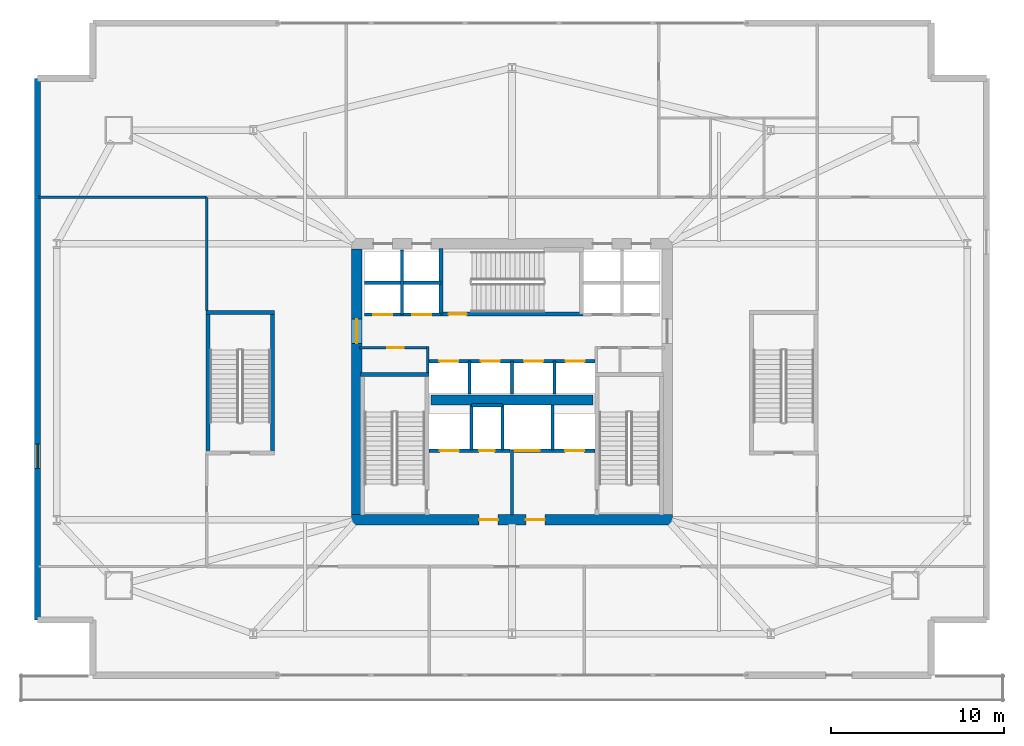
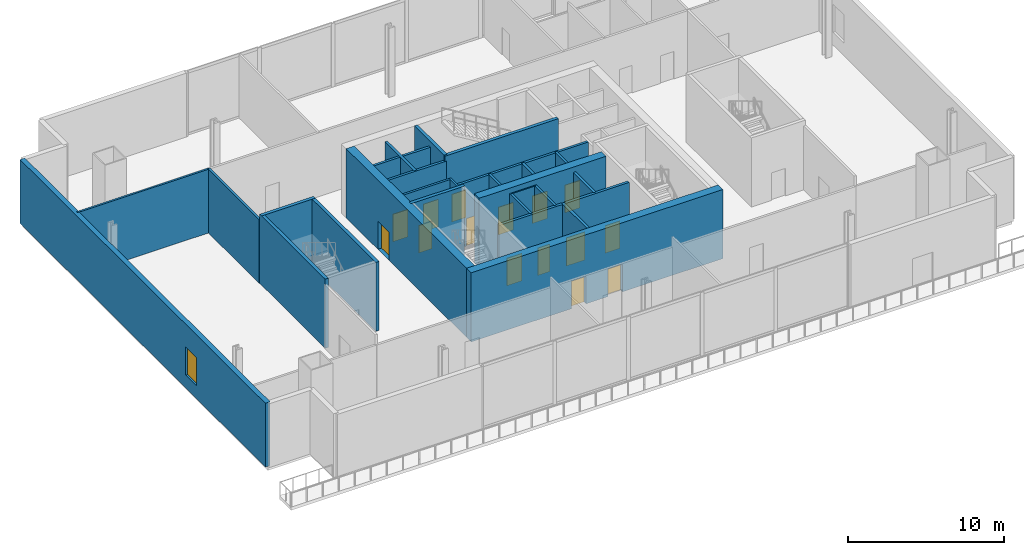
# One storey, part 10 of 16: 28 walls, 15 doors, 1 window, 16 openings.
"""IFC4 building model written with IfcOpenShell, lengths in metres."""

from ifc_helpers import new_model, si_unit, direction, frame, frame_2d, origin, place, context, subcontext, project, spatial, rectangle, extrude, material, layer, layer_set, type_object, element, fill, save


model = new_model("IFC4")

# Units and contexts
model_context = context("Model", 3, precision=1e-05, world=origin(), true_north=direction((0.0, 1.0)))
body_context = subcontext(model_context, "Body", "Model", "MODEL_VIEW")
ifc_project = project(units=[si_unit("LENGTHUNIT", "METRE"), si_unit("AREAUNIT", "SQUARE_METRE"), si_unit("VOLUMEUNIT", "CUBIC_METRE"), si_unit("PLANEANGLEUNIT", "RADIAN"), si_unit("MASSUNIT", "GRAM", prefix="KILO")], contexts=[model_context])

# Site, building, storey
site_placement = place(None, origin())
site = spatial("IfcSite", under=ifc_project, at=site_placement, CompositionType="ELEMENT")
building_placement = place(site_placement, origin())
building = spatial("IfcBuilding", under=site, at=building_placement, Name="Haldenkirk Collegiate Tower", CompositionType="ELEMENT")
storey_placement = place(building_placement, frame((0.0, 0.0, 16.800048828125)))
storey = spatial("IfcBuildingStorey", under=building, at=storey_placement, Name="L03", CompositionType="ELEMENT", Elevation=16.800048828125)

# Wall, openings, doors
ifc_material_1 = material(Name="Concrete f'c 70 MPa", Category="concrete")
ifc_layer_1 = layer(ifc_material_1, 0.60009765625)
ifc_layer_set_1 = layer_set([ifc_layer_1], Name="Concrete f'c 70 MPa")
wall_type_1 = type_object("IfcWallType", Name="WL-CORE-600", PredefinedType="SHEAR", material=ifc_layer_set_1)
wall_1_placement = place(storey_placement, frame((26.699951171875, 18.0, 0.0), z_axis=(0.0, 0.0, 1.0), x_axis=(1.0, 0.0, 0.0)))
wall_1 = element("IfcWall", 1, at=wall_1_placement, inside=storey, type_object=wall_type_1, Name="L03 central core shear wall S", PredefinedType="SHEAR", context=body_context, shape_type="SweptSolid", body=[
    extrude(rectangle(XDim=18.60009765625, YDim=0.60009765625, at=frame_2d((9.300048828125, 0.0))), origin(), (0.0, 0.0, 1.0), 5.39990234375),
])
opening_1_placement = place(wall_1_placement, frame((7.39990234375, 0.0, 0.0)))
opening_1 = element("IfcOpeningElement", 2, at=opening_1_placement, cuts=wall_1, Name="Opening D-02", PredefinedType="OPENING", context=body_context, shape_type="SweptSolid", body=[
    extrude(rectangle(XDim=1.10009765625, YDim=2.14990234375, at=frame_2d((0.550048828125, 1.074951171875))), frame((0.0, 0.31005859375, 0.0), z_axis=(0.0, -1.0, 0.0), x_axis=(1.0, 0.0, 0.0)), (0.0, 0.0, 1.0), 0.6201171875),
])
opening_2_placement = place(wall_1_placement, frame((10.10009765625, 0.0, 0.0)))
opening_2 = element("IfcOpeningElement", 3, at=opening_2_placement, cuts=wall_1, Name="Opening D-02", PredefinedType="OPENING", context=body_context, shape_type="SweptSolid", body=[
    extrude(rectangle(XDim=1.10009765625, YDim=2.14990234375, at=frame_2d((0.550048828125, 1.074951171875))), frame((0.0, 0.31005859375, 0.0), z_axis=(0.0, -1.0, 0.0), x_axis=(1.0, 0.0, 0.0)), (0.0, 0.0, 1.0), 0.6201171875),
])
ifc_material_2 = material(Name="Galvanized fire-rated hollow steel door", Category="steel")
ifc_layer_2 = layer(ifc_material_2, 0.06005859375)
ifc_layer_set_2 = layer_set([ifc_layer_2], Name="Galvanized fire-rated hollow steel door")
door_type_1 = type_object("IfcDoorType", Name="DR-STAIR-FD90-1100", OperationType="NOTDEFINED", PredefinedType="DOOR", material=ifc_layer_set_2)
door_1_placement = place(opening_1_placement, origin())
door_1 = element("IfcDoor", 4, at=door_1_placement, inside=storey, type_object=door_type_1, Name="L03 Firefighting Lobby 1 door", OperationType="SINGLE_SWING_LEFT", OverallHeight=2.14990234375, OverallWidth=1.10009765625, PredefinedType="DOOR", context=body_context, shape_type="SweptSolid", body=[
    extrude(rectangle(XDim=1.10009765625, YDim=2.14990234375, at=frame_2d((0.550048828125, 1.074951171875))), frame((0.0, 0.02490234375, 0.0), z_axis=(0.0, -1.0, 0.0), x_axis=(1.0, 0.0, 0.0)), (0.0, 0.0, 1.0), 0.050048828125),
])
fill(opening_1, door_1)
door_2_placement = place(opening_2_placement, origin())
door_2 = element("IfcDoor", 5, at=door_2_placement, inside=storey, type_object=door_type_1, Name="L03 Firefighting Lobby 2 door", OperationType="SINGLE_SWING_RIGHT", OverallHeight=2.14990234375, OverallWidth=1.10009765625, PredefinedType="DOOR", context=body_context, shape_type="SweptSolid", body=[
    extrude(rectangle(XDim=1.10009765625, YDim=2.14990234375, at=frame_2d((0.550048828125, 1.074951171875))), frame((0.0, 0.02490234375, 0.0), z_axis=(0.0, -1.0, 0.0), x_axis=(1.0, 0.0, 0.0)), (0.0, 0.0, 1.0), 0.050048828125),
])
fill(opening_2, door_2)

# Wall, opening, door
wall_2_placement = place(storey_placement, frame((27.0, 18.300048828125, 0.0), z_axis=(0.0, 0.0, 1.0), x_axis=(0.0, 1.0, 0.0)))
wall_2 = element("IfcWall", 6, at=wall_2_placement, inside=storey, type_object=wall_type_1, Name="L03 central core shear wall W", PredefinedType="SHEAR", context=body_context, shape_type="SweptSolid", body=[
    extrude(rectangle(XDim=15.39990234375, YDim=0.60009765625, at=frame_2d((7.699951171875, 0.0))), origin(), (0.0, 0.0, 1.0), 5.39990234375),
])
opening_3_placement = place(wall_2_placement, frame((9.93994140625, 0.0, 0.0)))
opening_3 = element("IfcOpeningElement", 7, at=opening_3_placement, cuts=wall_2, Name="Opening D-03", PredefinedType="OPENING", context=body_context, shape_type="SweptSolid", body=[
    extrude(rectangle(XDim=1.39990234375, YDim=2.199951171875, at=frame_2d((0.699951171875, 1.10009765625))), frame((0.0, 0.31005859375, 0.0), z_axis=(0.0, -1.0, 0.0), x_axis=(1.0, 0.0, 0.0)), (0.0, 0.0, 1.0), 0.6201171875),
])
ifc_layer_3 = layer(ifc_material_2, 0.06005859375)
ifc_layer_set_3 = layer_set([ifc_layer_3], Name="Galvanized fire-rated hollow steel door")
door_type_2 = type_object("IfcDoorType", Name="DR-LOBBY-FD90-1400", OperationType="NOTDEFINED", PredefinedType="DOOR", material=ifc_layer_set_3)
door_3_placement = place(opening_3_placement, origin())
door_3 = element("IfcDoor", 8, at=door_3_placement, inside=storey, type_object=door_type_2, Name="L03 west lift lobby portal", OperationType="DOUBLE_DOOR_SINGLE_SWING", OverallHeight=2.199951171875, OverallWidth=1.39990234375, PredefinedType="DOOR", context=body_context, shape_type="SweptSolid", body=[
    extrude(rectangle(XDim=1.39990234375, YDim=2.199951171875, at=frame_2d((0.699951171875, 1.10009765625))), frame((0.0, 0.02490234375, 0.0), z_axis=(0.0, -1.0, 0.0), x_axis=(1.0, 0.0, 0.0)), (0.0, 0.0, 1.0), 0.050048828125),
])
fill(opening_3, door_3)

# Wall
wall_3_placement = place(storey_placement, frame((31.31005859375, 24.949951171875, 0.0), z_axis=(0.0, 0.0, 1.0), x_axis=(1.0, 0.0, 0.0)))
element("IfcWall", 9, at=wall_3_placement, inside=storey, type_object=wall_type_1, Name="L03 central core spine shear wall", PredefinedType="SHEAR", context=body_context, shape_type="SweptSolid", body=[
    extrude(rectangle(XDim=9.3798828125, YDim=0.60009765625, at=frame_2d((4.68994140625, 0.0))), origin(), (0.0, 0.0, 1.0), 5.39990234375),
])

# Wall, opening, window
ifc_material_3 = material(Name="Precast concrete f'c 40 MPa", Category="concrete")
ifc_layer_4 = layer(ifc_material_3, 0.360107421875)
ifc_layer_set_4 = layer_set([ifc_layer_4], Name="Precast concrete f'c 40 MPa")
wall_type_2 = type_object("IfcWallType", Name="WL-EXT-POD-360", PredefinedType="STANDARD", material=ifc_layer_set_4)
wall_4_placement = place(storey_placement, frame((8.5, 12.199951171875, 0.0), z_axis=(0.0, 0.0, 1.0), x_axis=(0.0, 1.0, 0.0)))
wall_4 = element("IfcWall", 10, at=wall_4_placement, inside=storey, type_object=wall_type_2, Name="L03 podium bronze precast wall 10", PredefinedType="STANDARD", context=body_context, shape_type="SweptSolid", body=[
    extrude(rectangle(XDim=31.400146484375, YDim=0.360107421875, at=frame_2d((15.7001953125, 0.0))), origin(), (0.0, 0.0, 1.0), 4.97998046875),
])
opening_4_placement = place(wall_4_placement, frame((8.7919921875, 0.0, 1.0)))
opening_4 = element("IfcOpeningElement", 11, at=opening_4_placement, cuts=wall_4, Name="Opening W-02", PredefinedType="OPENING", context=body_context, shape_type="SweptSolid", body=[
    extrude(rectangle(XDim=1.39990234375, YDim=2.199951171875, at=frame_2d((0.699951171875, 1.10009765625))), frame((0.0, 0.18994140625, 0.0), z_axis=(0.0, -1.0, 0.0), x_axis=(1.0, 0.0, 0.0)), (0.0, 0.0, 1.0), 0.380126953125),
])
ifc_material_4 = material(Name="Low-E argon triple insulating glass", Category="glass")
ifc_layer_5 = layer(ifc_material_4, 0.090087890625)
ifc_layer_set_5 = layer_set([ifc_layer_5], Name="Low-E argon triple insulating glass")
window_type = type_object("IfcWindowType", Name="WN-POD-1400X2200", PartitioningType="SINGLE_PANEL", PredefinedType="WINDOW", material=ifc_layer_set_5)
window_placement = place(opening_4_placement, origin())
window = element("IfcWindow", 12, at=window_placement, inside=storey, type_object=window_type, Name="L03 podium academic window 10A", OverallHeight=2.199951171875, OverallWidth=1.39990234375, PartitioningType="SINGLE_PANEL", PredefinedType="WINDOW", context=body_context, shape_type="SweptSolid", body=[
    extrude(rectangle(XDim=1.39990234375, YDim=2.199951171875, at=frame_2d((0.699951171875, 1.10009765625))), frame((0.0, 0.030029296875, 0.0), z_axis=(0.0, -1.0, 0.0), x_axis=(1.0, 0.0, 0.0)), (0.0, 0.0, 1.0), 0.06005859375),
])
fill(opening_4, window)

# Wall, opening, door
ifc_material_5 = material(Name="Acoustic fire-rated gypsum partition", Category="concrete")
ifc_layer_6 = layer(ifc_material_5, 0.159912109375)
ifc_layer_set_6 = layer_set([ifc_layer_6], Name="Acoustic fire-rated gypsum partition")
wall_type_3 = type_object("IfcWallType", Name="WL-INT-CORR-160", PredefinedType="PARTITIONING", material=ifc_layer_set_6)
wall_5_placement = place(storey_placement, frame((27.14990234375, 27.97998046875, 0.0), z_axis=(0.0, 0.0, 1.0), x_axis=(1.0, 0.0, 0.0)))
wall_5 = element("IfcWall", 13, at=wall_5_placement, inside=storey, type_object=wall_type_3, Name="L03 interior partition IW-L03-VCSW-N", PredefinedType="PARTITIONING", context=body_context, shape_type="SweptSolid", body=[
    extrude(rectangle(XDim=4.050048828125, YDim=0.159912109375, at=frame_2d((2.02490234375, 0.0))), origin(), (0.0, 0.0, 1.0), 4.97998046875),
])
opening_5_placement = place(wall_5_placement, frame((1.625, 0.0, 0.0)))
opening_5 = element("IfcOpeningElement", 14, at=opening_5_placement, cuts=wall_5, Name="Opening D-10", PredefinedType="OPENING", context=body_context, shape_type="SweptSolid", body=[
    extrude(rectangle(XDim=0.949951171875, YDim=2.14990234375, at=frame_2d((0.47509765625, 1.074951171875))), frame((0.0, 0.08984375, 0.0), z_axis=(0.0, -1.0, 0.0), x_axis=(1.0, 0.0, 0.0)), (0.0, 0.0, 1.0), 0.179931640625),
])
ifc_material_6 = material(Name="Solid-core architectural oak fire door", Category="wood")
ifc_layer_7 = layer(ifc_material_6, 0.06005859375)
ifc_layer_set_7 = layer_set([ifc_layer_7], Name="Solid-core architectural oak fire door")
door_type_3 = type_object("IfcDoorType", Name="DR-INT-FD60-950", OperationType="NOTDEFINED", PredefinedType="DOOR", material=ifc_layer_set_7)
door_4_placement = place(opening_5_placement, origin())
door_4 = element("IfcDoor", 15, at=door_4_placement, inside=storey, type_object=door_type_3, Name="L03 core tea pantry door", OperationType="SINGLE_SWING_LEFT", OverallHeight=2.14990234375, OverallWidth=0.949951171875, PredefinedType="DOOR", context=body_context, shape_type="SweptSolid", body=[
    extrude(rectangle(XDim=0.949951171875, YDim=2.14990234375, at=frame_2d((0.47509765625, 1.074951171875))), frame((0.0, 0.02490234375, 0.0), z_axis=(0.0, -1.0, 0.0), x_axis=(1.0, 0.0, 0.0)), (0.0, 0.0, 1.0), 0.050048828125),
])
fill(opening_5, door_4)

# Walls
wall_6_placement = place(storey_placement, frame((31.1201171875, 26.5400390625, 0.0), z_axis=(0.0, 0.0, 1.0), x_axis=(0.0, 1.0, 0.0)))
element("IfcWall", 16, at=wall_6_placement, inside=storey, type_object=wall_type_3, Name="L03 interior partition IW-L03-VCSW-E", PredefinedType="PARTITIONING", context=body_context, shape_type="SweptSolid", body=[
    extrude(rectangle(XDim=1.510009765625, YDim=0.159912109375, at=frame_2d((0.7548828125, 0.0))), origin(), (0.0, 0.0, 1.0), 4.97998046875),
])
wall_7_placement = place(storey_placement, frame((18.300048828125, 30.14990234375, 0.0), z_axis=(0.0, 0.0, 1.0), x_axis=(0.0, 1.0, 0.0)))
element("IfcWall", 17, at=wall_7_placement, inside=storey, type_object=wall_type_3, Name="L03 interior partition IW-L03-CW2", PredefinedType="PARTITIONING", context=body_context, shape_type="SweptSolid", body=[
    extrude(rectangle(XDim=6.550048828125, YDim=0.159912109375, at=frame_2d((3.27490234375, 0.0))), origin(), (0.0, 0.0, 1.0), 4.97998046875),
])
ifc_layer_8 = layer(ifc_material_5, 0.139892578125)
ifc_layer_set_8 = layer_set([ifc_layer_8], Name="Acoustic fire-rated gypsum partition")
wall_type_4 = type_object("IfcWallType", Name="WL-INT-DIV-140", PredefinedType="PARTITIONING", material=ifc_layer_set_8)
wall_8_placement = place(storey_placement, frame((8.5400390625, 36.699951171875, 0.0), z_axis=(0.0, 0.0, 1.0), x_axis=(1.0, 0.0, 0.0)))
element("IfcWall", 18, at=wall_8_placement, inside=storey, type_object=wall_type_4, Name="L03 interior partition IW-L03-WCN1", PredefinedType="PARTITIONING", context=body_context, shape_type="SweptSolid", body=[
    extrude(rectangle(XDim=9.760009765625, YDim=0.139892578125, at=frame_2d((4.8798828125, 0.0))), origin(), (0.0, 0.0, 1.0), 4.97998046875),
])
ifc_material_7 = material(Name="Fire-rated gypsum shaftboard assembly", Category="concrete")
ifc_layer_9 = layer(ifc_material_7, 0.179931640625)
ifc_layer_set_9 = layer_set([ifc_layer_9], Name="Fire-rated gypsum shaftboard assembly")
wall_type_5 = type_object("IfcWallType", Name="WL-INT-SHAFT-180", PredefinedType="PARTITIONING", material=ifc_layer_set_9)
for number, where, z_axis, x_axis, name in (
    (19, (33.64990234375, 22.050048828125, 0.0), (0.0, 0.0, 1.0), (0.0, 1.0, 0.0), "L03 interior partition IW-L03-FL1E"),
    (20, (35.449951171875, 22.050048828125, 0.0), (0.0, 0.0, 1.0), (0.0, 1.0, 0.0), "L03 interior partition IW-L03-GL1W"),
):
    element("IfcWall", number, at=place(storey_placement, frame(where, z_axis=z_axis, x_axis=x_axis)), inside=storey, type_object=wall_type_5, Name=name, PredefinedType="PARTITIONING", context=body_context, shape_type="SweptSolid", body=[
        extrude(rectangle(XDim=2.599853515625, YDim=0.179931640625, at=frame_2d((1.2998046875, 0.0))), origin(), (0.0, 0.0, 1.0), 4.97998046875),
    ])
wall_9_placement = place(storey_placement, frame((33.64990234375, 24.64990234375, 0.0), z_axis=(0.0, 0.0, 1.0), x_axis=(1.0, 0.0, 0.0)))
element("IfcWall", 21, at=wall_9_placement, inside=storey, type_object=wall_type_5, Name="L03 interior partition IW-L03-RSRN", PredefinedType="PARTITIONING", context=body_context, shape_type="SweptSolid", body=[
    extrude(rectangle(XDim=1.800048828125, YDim=0.179931640625, at=frame_2d((0.89990234375, 0.0))), origin(), (0.0, 0.0, 1.0), 4.97998046875),
])
wall_10_placement = place(storey_placement, frame((38.35009765625, 22.050048828125, 0.0), z_axis=(0.0, 0.0, 1.0), x_axis=(0.0, 1.0, 0.0)))
element("IfcWall", 22, at=wall_10_placement, inside=storey, type_object=wall_type_5, Name="L03 interior partition IW-L03-GL1E", PredefinedType="PARTITIONING", context=body_context, shape_type="SweptSolid", body=[
    extrude(rectangle(XDim=2.599853515625, YDim=0.179931640625, at=frame_2d((1.2998046875, 0.0))), origin(), (0.0, 0.0, 1.0), 4.97998046875),
])

# Wall, openings, doors
wall_11_placement = place(storey_placement, frame((27.449951171875, 29.89990234375, 0.0), z_axis=(0.0, 0.0, 1.0), x_axis=(1.0, 0.0, 0.0)))
wall_11 = element("IfcWall", 23, at=wall_11_placement, inside=storey, type_object=wall_type_5, Name="L03 interior partition IW-L03-PLS", PredefinedType="PARTITIONING", context=body_context, shape_type="SweptSolid", body=[
    extrude(rectangle(XDim=4.429931640625, YDim=0.179931640625, at=frame_2d((2.21484375, 0.0))), origin(), (0.0, 0.0, 1.0), 4.97998046875),
])
opening_6_placement = place(wall_11_placement, frame((0.514892578125, 0.0, 0.0)))
opening_6 = element("IfcOpeningElement", 24, at=opening_6_placement, cuts=wall_11, Name="Opening LD-11", PredefinedType="OPENING", context=body_context, shape_type="SweptSolid", body=[
    extrude(rectangle(XDim=1.10009765625, YDim=2.14990234375, at=frame_2d((0.550048828125, 1.074951171875))), frame((0.0, 0.099853515625, 0.0), z_axis=(0.0, -1.0, 0.0), x_axis=(1.0, 0.0, 0.0)), (0.0, 0.0, 1.0), 0.199951171875),
])
opening_7_placement = place(wall_11_placement, frame((2.764892578125, 0.0, 0.0)))
opening_7 = element("IfcOpeningElement", 25, at=opening_7_placement, cuts=wall_11, Name="Opening LD-11", PredefinedType="OPENING", context=body_context, shape_type="SweptSolid", body=[
    extrude(rectangle(XDim=1.10009765625, YDim=2.14990234375, at=frame_2d((0.550048828125, 1.074951171875))), frame((0.0, 0.099853515625, 0.0), z_axis=(0.0, -1.0, 0.0), x_axis=(1.0, 0.0, 0.0)), (0.0, 0.0, 1.0), 0.199951171875),
])
ifc_material_8 = material(Name="Brushed architectural stainless steel", Category="steel")
ifc_layer_10 = layer(ifc_material_8, 0.06005859375)
ifc_layer_set_10 = layer_set([ifc_layer_10], Name="Brushed architectural stainless steel")
door_type_4 = type_object("IfcDoorType", Name="LD-PASS-1100", OperationType="NOTDEFINED", PredefinedType="DOOR", material=ifc_layer_set_10)
door_5_placement = place(opening_6_placement, origin())
door_5 = element("IfcDoor", 26, at=door_5_placement, inside=storey, type_object=door_type_4, Name="L03 Elevator PL1 sliding landing door", OperationType="SLIDING_TO_LEFT", OverallHeight=2.14990234375, OverallWidth=1.10009765625, PredefinedType="DOOR", context=body_context, shape_type="SweptSolid", body=[
    extrude(rectangle(XDim=1.10009765625, YDim=2.14990234375, at=frame_2d((0.550048828125, 1.074951171875))), frame((0.0, 0.02490234375, 0.0), z_axis=(0.0, -1.0, 0.0), x_axis=(1.0, 0.0, 0.0)), (0.0, 0.0, 1.0), 0.050048828125),
])
fill(opening_6, door_5)
door_6_placement = place(opening_7_placement, origin())
door_6 = element("IfcDoor", 27, at=door_6_placement, inside=storey, type_object=door_type_4, Name="L03 Elevator PL2 sliding landing door", OperationType="SLIDING_TO_LEFT", OverallHeight=2.14990234375, OverallWidth=1.10009765625, PredefinedType="DOOR", context=body_context, shape_type="SweptSolid", body=[
    extrude(rectangle(XDim=1.10009765625, YDim=2.14990234375, at=frame_2d((0.550048828125, 1.074951171875))), frame((0.0, 0.02490234375, 0.0), z_axis=(0.0, -1.0, 0.0), x_axis=(1.0, 0.0, 0.0)), (0.0, 0.0, 1.0), 0.050048828125),
])
fill(opening_7, door_6)

# Walls
wall_12_placement = place(storey_placement, frame((27.449951171875, 31.75, 0.0), z_axis=(0.0, 0.0, 1.0), x_axis=(1.0, 0.0, 0.0)))
element("IfcWall", 28, at=wall_12_placement, inside=storey, type_object=wall_type_5, Name="L03 interior partition IW-L03-PLM", PredefinedType="PARTITIONING", context=body_context, shape_type="SweptSolid", body=[
    extrude(rectangle(XDim=4.429931640625, YDim=0.179931640625, at=frame_2d((2.21484375, 0.0))), origin(), (0.0, 0.0, 1.0), 4.97998046875),
])
wall_13_placement = place(storey_placement, frame((29.6298828125, 29.89990234375, 0.0), z_axis=(0.0, 0.0, 1.0), x_axis=(0.0, 1.0, 0.0)))
element("IfcWall", 29, at=wall_13_placement, inside=storey, type_object=wall_type_5, Name="L03 interior partition IW-L03-PLV", PredefinedType="PARTITIONING", context=body_context, shape_type="SweptSolid", body=[
    extrude(rectangle(XDim=3.75, YDim=0.179931640625, at=frame_2d((1.875, 0.0))), origin(), (0.0, 0.0, 1.0), 4.97998046875),
])

# Wall, openings, doors
wall_14_placement = place(storey_placement, frame((31.199951171875, 27.199951171875, 0.0), z_axis=(0.0, 0.0, 1.0), x_axis=(1.0, 0.0, 0.0)))
wall_14 = element("IfcWall", 30, at=wall_14_placement, inside=storey, type_object=wall_type_5, Name="L03 interior partition IW-L03-PHN", PredefinedType="PARTITIONING", context=body_context, shape_type="SweptSolid", body=[
    extrude(rectangle(XDim=9.60009765625, YDim=0.179931640625, at=frame_2d((4.800048828125, 0.0))), origin(), (0.0, 0.0, 1.0), 4.97998046875),
])
opening_8_placement = place(wall_14_placement, frame((0.590087890625, 0.0, 0.0)))
opening_8 = element("IfcOpeningElement", 31, at=opening_8_placement, cuts=wall_14, Name="Opening LD-11", PredefinedType="OPENING", context=body_context, shape_type="SweptSolid", body=[
    extrude(rectangle(XDim=1.10009765625, YDim=2.14990234375, at=frame_2d((0.550048828125, 1.074951171875))), frame((0.0, 0.099853515625, 0.0), z_axis=(0.0, -1.0, 0.0), x_axis=(1.0, 0.0, 0.0)), (0.0, 0.0, 1.0), 0.199951171875),
])
opening_9_placement = place(wall_14_placement, frame((2.989990234375, 0.0, 0.0)))
opening_9 = element("IfcOpeningElement", 32, at=opening_9_placement, cuts=wall_14, Name="Opening LD-11", PredefinedType="OPENING", context=body_context, shape_type="SweptSolid", body=[
    extrude(rectangle(XDim=1.10009765625, YDim=2.14990234375, at=frame_2d((0.550048828125, 1.074951171875))), frame((0.0, 0.099853515625, 0.0), z_axis=(0.0, -1.0, 0.0), x_axis=(1.0, 0.0, 0.0)), (0.0, 0.0, 1.0), 0.199951171875),
])
opening_10_placement = place(wall_14_placement, frame((5.510009765625, 0.0, 0.0)))
opening_10 = element("IfcOpeningElement", 33, at=opening_10_placement, cuts=wall_14, Name="Opening LD-11", PredefinedType="OPENING", context=body_context, shape_type="SweptSolid", body=[
    extrude(rectangle(XDim=1.10009765625, YDim=2.14990234375, at=frame_2d((0.550048828125, 1.074951171875))), frame((0.0, 0.099853515625, 0.0), z_axis=(0.0, -1.0, 0.0), x_axis=(1.0, 0.0, 0.0)), (0.0, 0.0, 1.0), 0.199951171875),
])
opening_11_placement = place(wall_14_placement, frame((7.909912109375, 0.0, 0.0)))
opening_11 = element("IfcOpeningElement", 34, at=opening_11_placement, cuts=wall_14, Name="Opening LD-11", PredefinedType="OPENING", context=body_context, shape_type="SweptSolid", body=[
    extrude(rectangle(XDim=1.10009765625, YDim=2.14990234375, at=frame_2d((0.550048828125, 1.074951171875))), frame((0.0, 0.099853515625, 0.0), z_axis=(0.0, -1.0, 0.0), x_axis=(1.0, 0.0, 0.0)), (0.0, 0.0, 1.0), 0.199951171875),
])
door_7_placement = place(opening_8_placement, origin())
door_7 = element("IfcDoor", 35, at=door_7_placement, inside=storey, type_object=door_type_4, Name="L03 Elevator PH1 sliding landing door", OperationType="SLIDING_TO_LEFT", OverallHeight=2.14990234375, OverallWidth=1.10009765625, PredefinedType="DOOR", context=body_context, shape_type="SweptSolid", body=[
    extrude(rectangle(XDim=1.10009765625, YDim=2.14990234375, at=frame_2d((0.550048828125, 1.074951171875))), frame((0.0, 0.02490234375, 0.0), z_axis=(0.0, -1.0, 0.0), x_axis=(1.0, 0.0, 0.0)), (0.0, 0.0, 1.0), 0.050048828125),
])
fill(opening_8, door_7)
door_8_placement = place(opening_9_placement, origin())
door_8 = element("IfcDoor", 36, at=door_8_placement, inside=storey, type_object=door_type_4, Name="L03 Elevator PH2 sliding landing door", OperationType="SLIDING_TO_LEFT", OverallHeight=2.14990234375, OverallWidth=1.10009765625, PredefinedType="DOOR", context=body_context, shape_type="SweptSolid", body=[
    extrude(rectangle(XDim=1.10009765625, YDim=2.14990234375, at=frame_2d((0.550048828125, 1.074951171875))), frame((0.0, 0.02490234375, 0.0), z_axis=(0.0, -1.0, 0.0), x_axis=(1.0, 0.0, 0.0)), (0.0, 0.0, 1.0), 0.050048828125),
])
fill(opening_9, door_8)
door_9_placement = place(opening_10_placement, origin())
door_9 = element("IfcDoor", 37, at=door_9_placement, inside=storey, type_object=door_type_4, Name="L03 Elevator PH3 sliding landing door", OperationType="SLIDING_TO_LEFT", OverallHeight=2.14990234375, OverallWidth=1.10009765625, PredefinedType="DOOR", context=body_context, shape_type="SweptSolid", body=[
    extrude(rectangle(XDim=1.10009765625, YDim=2.14990234375, at=frame_2d((0.550048828125, 1.074951171875))), frame((0.0, 0.02490234375, 0.0), z_axis=(0.0, -1.0, 0.0), x_axis=(1.0, 0.0, 0.0)), (0.0, 0.0, 1.0), 0.050048828125),
])
fill(opening_10, door_9)
door_10_placement = place(opening_11_placement, origin())
door_10 = element("IfcDoor", 38, at=door_10_placement, inside=storey, type_object=door_type_4, Name="L03 Elevator PH4 sliding landing door", OperationType="SLIDING_TO_LEFT", OverallHeight=2.14990234375, OverallWidth=1.10009765625, PredefinedType="DOOR", context=body_context, shape_type="SweptSolid", body=[
    extrude(rectangle(XDim=1.10009765625, YDim=2.14990234375, at=frame_2d((0.550048828125, 1.074951171875))), frame((0.0, 0.02490234375, 0.0), z_axis=(0.0, -1.0, 0.0), x_axis=(1.0, 0.0, 0.0)), (0.0, 0.0, 1.0), 0.050048828125),
])
fill(opening_11, door_10)

# Walls
for number, where, z_axis, x_axis, name in (
    (39, (33.5400390625, 25.300048828125, 0.0), (0.0, 0.0, 1.0), (0.0, 1.0, 0.0), "L03 interior partition IW-L03-PHV1"),
    (40, (36.0, 25.300048828125, 0.0), (0.0, 0.0, 1.0), (0.0, 1.0, 0.0), "L03 interior partition IW-L03-PHV2"),
    (41, (38.4599609375, 25.300048828125, 0.0), (0.0, 0.0, 1.0), (0.0, 1.0, 0.0), "L03 interior partition IW-L03-PHV3"),
):
    element("IfcWall", number, at=place(storey_placement, frame(where, z_axis=z_axis, x_axis=x_axis)), inside=storey, type_object=wall_type_5, Name=name, PredefinedType="PARTITIONING", context=body_context, shape_type="SweptSolid", body=[
        extrude(rectangle(XDim=1.89990234375, YDim=0.179931640625, at=frame_2d((0.949951171875, 0.0))), origin(), (0.0, 0.0, 1.0), 4.97998046875),
    ])
ifc_layer_11 = layer(ifc_material_7, 0.199951171875)
ifc_layer_set_11 = layer_set([ifc_layer_11], Name="Fire-rated gypsum shaftboard assembly")
wall_type_6 = type_object("IfcWallType", Name="WL-INT-SHAFT-200", PredefinedType="PARTITIONING", material=ifc_layer_set_11)
wall_15_placement = place(storey_placement, frame((36.0, 18.280029296875, 0.0), z_axis=(0.0, 0.0, 1.0), x_axis=(0.0, 1.0, 0.0)))
element("IfcWall", 42, at=wall_15_placement, inside=storey, type_object=wall_type_6, Name="L03 interior partition IW-L03-FFLM", PredefinedType="PARTITIONING", context=body_context, shape_type="SweptSolid", body=[
    extrude(rectangle(XDim=3.77001953125, YDim=0.199951171875, at=frame_2d((1.885009765625, 0.0))), origin(), (0.0, 0.0, 1.0), 4.97998046875),
])

# Wall, openings, doors
wall_16_placement = place(storey_placement, frame((31.18994140625, 22.0, 0.0), z_axis=(0.0, 0.0, 1.0), x_axis=(1.0, 0.0, 0.0)))
wall_16 = element("IfcWall", 43, at=wall_16_placement, inside=storey, type_object=wall_type_6, Name="L03 interior partition IW-L03-FFL1N", PredefinedType="PARTITIONING", context=body_context, shape_type="SweptSolid", body=[
    extrude(rectangle(XDim=4.68994140625, YDim=0.199951171875, at=frame_2d((2.344970703125, 0.0))), origin(), (0.0, 0.0, 1.0), 4.97998046875),
])
opening_12_placement = place(wall_16_placement, frame((2.909912109375, 0.0, 0.0)))
opening_12 = element("IfcOpeningElement", 44, at=opening_12_placement, cuts=wall_16, Name="Opening D-06", PredefinedType="OPENING", context=body_context, shape_type="SweptSolid", body=[
    extrude(rectangle(XDim=0.89990234375, YDim=2.14990234375, at=frame_2d((0.449951171875, 1.074951171875))), frame((0.0, 0.10986328125, 0.0), z_axis=(0.0, -1.0, 0.0), x_axis=(1.0, 0.0, 0.0)), (0.0, 0.0, 1.0), 0.219970703125),
])
opening_13_placement = place(wall_16_placement, frame((0.635009765625, 0.0, 0.0)))
opening_13 = element("IfcOpeningElement", 45, at=opening_13_placement, cuts=wall_16, Name="Opening LD-12", PredefinedType="OPENING", context=body_context, shape_type="SweptSolid", body=[
    extrude(rectangle(XDim=1.10009765625, YDim=2.14990234375, at=frame_2d((0.550048828125, 1.074951171875))), frame((0.0, 0.10986328125, 0.0), z_axis=(0.0, -1.0, 0.0), x_axis=(1.0, 0.0, 0.0)), (0.0, 0.0, 1.0), 0.219970703125),
])
ifc_layer_12 = layer(ifc_material_2, 0.06005859375)
ifc_layer_set_12 = layer_set([ifc_layer_12], Name="Galvanized fire-rated hollow steel door")
door_type_5 = type_object("IfcDoorType", Name="DR-INT-FD90-900", OperationType="NOTDEFINED", PredefinedType="DOOR", material=ifc_layer_set_12)
door_11_placement = place(opening_12_placement, origin())
door_11 = element("IfcDoor", 46, at=door_11_placement, inside=storey, type_object=door_type_5, Name="L03 electrical riser door", OperationType="SINGLE_SWING_LEFT", OverallHeight=2.14990234375, OverallWidth=0.89990234375, PredefinedType="DOOR", context=body_context, shape_type="SweptSolid", body=[
    extrude(rectangle(XDim=0.89990234375, YDim=2.14990234375, at=frame_2d((0.449951171875, 1.074951171875))), frame((0.0, 0.02490234375, 0.0), z_axis=(0.0, -1.0, 0.0), x_axis=(1.0, 0.0, 0.0)), (0.0, 0.0, 1.0), 0.050048828125),
])
fill(opening_12, door_11)
ifc_layer_13 = layer(ifc_material_8, 0.06005859375)
ifc_layer_set_13 = layer_set([ifc_layer_13], Name="Brushed architectural stainless steel")
door_type_6 = type_object("IfcDoorType", Name="LD-FIRE-1100", OperationType="NOTDEFINED", PredefinedType="DOOR", material=ifc_layer_set_13)
door_12_placement = place(opening_13_placement, origin())
door_12 = element("IfcDoor", 47, at=door_12_placement, inside=storey, type_object=door_type_6, Name="L03 Elevator FL1 sliding landing door", OperationType="SLIDING_TO_LEFT", OverallHeight=2.14990234375, OverallWidth=1.10009765625, PredefinedType="DOOR", context=body_context, shape_type="SweptSolid", body=[
    extrude(rectangle(XDim=1.10009765625, YDim=2.14990234375, at=frame_2d((0.550048828125, 1.074951171875))), frame((0.0, 0.02490234375, 0.0), z_axis=(0.0, -1.0, 0.0), x_axis=(1.0, 0.0, 0.0)), (0.0, 0.0, 1.0), 0.050048828125),
])
fill(opening_13, door_12)

wall_17_placement = place(storey_placement, frame((36.1201171875, 22.0, 0.0), z_axis=(0.0, 0.0, 1.0), x_axis=(1.0, 0.0, 0.0)))
wall_17 = element("IfcWall", 48, at=wall_17_placement, inside=storey, type_object=wall_type_6, Name="L03 interior partition IW-L03-FFL2N", PredefinedType="PARTITIONING", context=body_context, shape_type="SweptSolid", body=[
    extrude(rectangle(XDim=4.68994140625, YDim=0.199951171875, at=frame_2d((2.344970703125, 0.0))), origin(), (0.0, 0.0, 1.0), 4.97998046875),
])
opening_14_placement = place(wall_17_placement, frame((2.955078125, 0.0, 0.0)))
opening_14 = element("IfcOpeningElement", 49, at=opening_14_placement, cuts=wall_17, Name="Opening LD-12", PredefinedType="OPENING", context=body_context, shape_type="SweptSolid", body=[
    extrude(rectangle(XDim=1.10009765625, YDim=2.14990234375, at=frame_2d((0.550048828125, 1.074951171875))), frame((0.0, 0.10986328125, 0.0), z_axis=(0.0, -1.0, 0.0), x_axis=(1.0, 0.0, 0.0)), (0.0, 0.0, 1.0), 0.219970703125),
])
opening_15_placement = place(wall_17_placement, frame((0.080078125, 0.0, 0.0)))
opening_15 = element("IfcOpeningElement", 50, at=opening_15_placement, cuts=wall_17, Name="Opening LD-13", PredefinedType="OPENING", context=body_context, shape_type="SweptSolid", body=[
    extrude(rectangle(XDim=1.39990234375, YDim=2.199951171875, at=frame_2d((0.699951171875, 1.10009765625))), frame((0.0, 0.10986328125, 0.0), z_axis=(0.0, -1.0, 0.0), x_axis=(1.0, 0.0, 0.0)), (0.0, 0.0, 1.0), 0.219970703125),
])
door_13_placement = place(opening_14_placement, origin())
door_13 = element("IfcDoor", 51, at=door_13_placement, inside=storey, type_object=door_type_6, Name="L03 Elevator FL2 sliding landing door", OperationType="SLIDING_TO_LEFT", OverallHeight=2.14990234375, OverallWidth=1.10009765625, PredefinedType="DOOR", context=body_context, shape_type="SweptSolid", body=[
    extrude(rectangle(XDim=1.10009765625, YDim=2.14990234375, at=frame_2d((0.550048828125, 1.074951171875))), frame((0.0, 0.02490234375, 0.0), z_axis=(0.0, -1.0, 0.0), x_axis=(1.0, 0.0, 0.0)), (0.0, 0.0, 1.0), 0.050048828125),
])
fill(opening_14, door_13)
ifc_layer_14 = layer(ifc_material_8, 0.06005859375)
ifc_layer_set_14 = layer_set([ifc_layer_14], Name="Brushed architectural stainless steel")
door_type_7 = type_object("IfcDoorType", Name="LD-GOODS-1400", OperationType="NOTDEFINED", PredefinedType="DOOR", material=ifc_layer_set_14)
door_14_placement = place(opening_15_placement, origin())
door_14 = element("IfcDoor", 52, at=door_14_placement, inside=storey, type_object=door_type_7, Name="L03 Elevator GL1 sliding landing door", OperationType="SLIDING_TO_LEFT", OverallHeight=2.199951171875, OverallWidth=1.39990234375, PredefinedType="DOOR", context=body_context, shape_type="SweptSolid", body=[
    extrude(rectangle(XDim=1.39990234375, YDim=2.199951171875, at=frame_2d((0.699951171875, 1.10009765625))), frame((0.0, 0.02490234375, 0.0), z_axis=(0.0, -1.0, 0.0), x_axis=(1.0, 0.0, 0.0)), (0.0, 0.0, 1.0), 0.050048828125),
])
fill(opening_15, door_14)

# Wall
ifc_material_9 = material(Name="Concrete f'c 55 MPa", Category="concrete")
ifc_layer_15 = layer(ifc_material_9, 0.239990234375)
ifc_layer_set_15 = layer_set([ifc_layer_15], Name="Concrete f'c 55 MPa")
wall_type_7 = type_object("IfcWallType", Name="WL-SHAFT-240", PredefinedType="SHEAR", material=ifc_layer_set_15)
wall_18_placement = place(storey_placement, frame((27.2099609375, 26.419921875, 0.0), z_axis=(0.0, 0.0, 1.0), x_axis=(1.0, 0.0, 0.0)))
element("IfcWall", 53, at=wall_18_placement, inside=storey, type_object=wall_type_7, Name="L03 stair shaft shear wall SW-L03-ST1N", PredefinedType="SHEAR", context=body_context, shape_type="SweptSolid", body=[
    extrude(rectangle(XDim=3.97998046875, YDim=0.239990234375, at=frame_2d((1.989990234375, 0.0))), origin(), (0.0, 0.0, 1.0), 5.39990234375),
])

# Wall, opening, door
wall_19_placement = place(storey_placement, frame((31.760009765625, 29.929931640625, 0.0), z_axis=(0.0, 0.0, 1.0), x_axis=(1.0, 0.0, 0.0)))
wall_19 = element("IfcWall", 54, at=wall_19_placement, inside=storey, type_object=wall_type_7, Name="L03 stair shaft shear wall SW-L03-ST3S", PredefinedType="SHEAR", context=body_context, shape_type="SweptSolid", body=[
    extrude(rectangle(XDim=8.3798828125, YDim=0.239990234375, at=frame_2d((4.18994140625, 0.0))), origin(), (0.0, 0.0, 1.0), 5.39990234375),
])
opening_16_placement = place(wall_19_placement, frame((0.56494140625, 0.0, 0.0)))
opening_16 = element("IfcOpeningElement", 55, at=opening_16_placement, cuts=wall_19, Name="Opening D-01", PredefinedType="OPENING", context=body_context, shape_type="SweptSolid", body=[
    extrude(rectangle(XDim=1.050048828125, YDim=2.14990234375, at=frame_2d((0.52490234375, 1.074951171875))), frame((0.0, 0.1298828125, 0.0), z_axis=(0.0, -1.0, 0.0), x_axis=(1.0, 0.0, 0.0)), (0.0, 0.0, 1.0), 0.260009765625),
])
ifc_layer_16 = layer(ifc_material_2, 0.06005859375)
ifc_layer_set_16 = layer_set([ifc_layer_16], Name="Galvanized fire-rated hollow steel door")
door_type_8 = type_object("IfcDoorType", Name="DR-STAIR-FD90-1050", OperationType="NOTDEFINED", PredefinedType="DOOR", material=ifc_layer_set_16)
door_15_placement = place(opening_16_placement, origin())
door_15 = element("IfcDoor", 56, at=door_15_placement, inside=storey, type_object=door_type_8, Name="L03 lift lobby Stair 3 door", OperationType="SINGLE_SWING_RIGHT", OverallHeight=2.14990234375, OverallWidth=1.050048828125, PredefinedType="DOOR", context=body_context, shape_type="SweptSolid", body=[
    extrude(rectangle(XDim=1.050048828125, YDim=2.14990234375, at=frame_2d((0.52490234375, 1.074951171875))), frame((0.0, 0.02490234375, 0.0), z_axis=(0.0, -1.0, 0.0), x_axis=(1.0, 0.0, 0.0)), (0.0, 0.0, 1.0), 0.050048828125),
])
fill(opening_16, door_15)

# Walls
wall_20_placement = place(storey_placement, frame((31.8798828125, 29.929931640625, 0.0), z_axis=(0.0, 0.0, 1.0), x_axis=(0.0, 1.0, 0.0)))
element("IfcWall", 57, at=wall_20_placement, inside=storey, type_object=wall_type_7, Name="L03 stair shaft shear wall SW-L03-ST3W", PredefinedType="SHEAR", context=body_context, shape_type="SweptSolid", body=[
    extrude(rectangle(XDim=3.7900390625, YDim=0.239990234375, at=frame_2d((1.89501953125, 0.0))), origin(), (0.0, 0.0, 1.0), 5.39990234375),
])
for number, where, z_axis, x_axis, name in (
    (58, (18.3798828125, 21.760009765625, 0.0), (0.0, 0.0, 1.0), (0.0, 1.0, 0.0), "L03 stair shaft shear wall SW-L03-ST4W"),
    (59, (22.1201171875, 21.760009765625, 0.0), (0.0, 0.0, 1.0), (0.0, 1.0, 0.0), "L03 stair shaft shear wall SW-L03-ST4E"),
):
    element("IfcWall", number, at=place(storey_placement, frame(where, z_axis=z_axis, x_axis=x_axis)), inside=storey, type_object=wall_type_7, Name=name, PredefinedType="SHEAR", context=body_context, shape_type="SweptSolid", body=[
        extrude(rectangle(XDim=8.3798828125, YDim=0.239990234375, at=frame_2d((4.18994140625, 0.0))), origin(), (0.0, 0.0, 1.0), 5.39990234375),
    ])
wall_21_placement = place(storey_placement, frame((18.260009765625, 30.02001953125, 0.0), z_axis=(0.0, 0.0, 1.0), x_axis=(1.0, 0.0, 0.0)))
element("IfcWall", 60, at=wall_21_placement, inside=storey, type_object=wall_type_7, Name="L03 stair shaft shear wall SW-L03-ST4N", PredefinedType="SHEAR", context=body_context, shape_type="SweptSolid", body=[
    extrude(rectangle(XDim=3.97998046875, YDim=0.239990234375, at=frame_2d((1.989990234375, 0.0))), origin(), (0.0, 0.0, 1.0), 5.39990234375),
])

save(model, "model.ifc")
